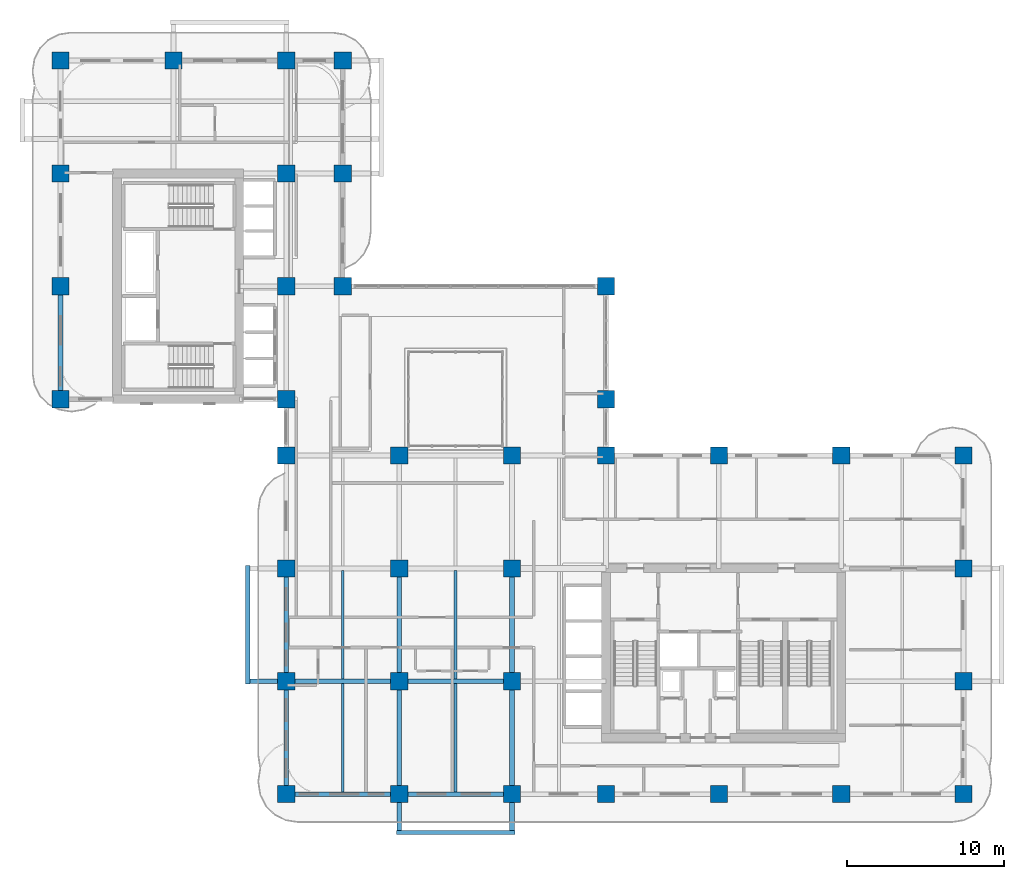
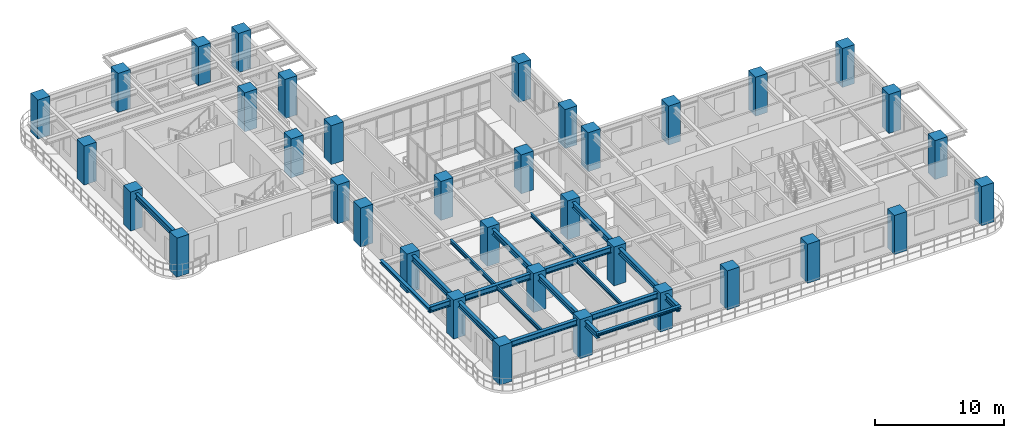
# One storey, part 1 of 22: 36 columns, 17 beams.
"""IFC4 building model written with IfcOpenShell, lengths in metres."""

from ifc_helpers import new_model, si_unit, derived_unit, direction, frame, origin, origin_2d, place, context, subcontext, project, spatial, rectangle, i_section, extrude, source, transform, mapped, material, material_profile, profile_set, type_object, type_shapes, element, save


model = new_model("IFC4")

# Units and contexts
model_context = context("Model", 3, precision=1e-05, world=origin(), true_north=direction((0.0, 1.0)))
body_context = subcontext(model_context, "Body", "Model", "MODEL_VIEW")
ifc_project = project(units=[si_unit("LENGTHUNIT", "METRE"), si_unit("AREAUNIT", "SQUARE_METRE"), si_unit("VOLUMEUNIT", "CUBIC_METRE"), si_unit("PLANEANGLEUNIT", "RADIAN"), si_unit("MASSUNIT", "GRAM", prefix="KILO"), si_unit("THERMODYNAMICTEMPERATUREUNIT", "KELVIN"), si_unit("POWERUNIT", "WATT"), derived_unit("THERMALTRANSMITTANCEUNIT", [(si_unit("POWERUNIT", "WATT"), 1), (si_unit("AREAUNIT", "SQUARE_METRE"), -1), (si_unit("THERMODYNAMICTEMPERATUREUNIT", "KELVIN"), -1)])], contexts=[model_context])

# Site, building, storey
site_placement = place(None, origin())
site = spatial("IfcSite", under=ifc_project, at=site_placement, CompositionType="ELEMENT")
building_placement = place(site_placement, origin())
building = spatial("IfcBuilding", under=site, at=building_placement, Name="Zahravan Archway Hotel and Residences", CompositionType="ELEMENT")
storey_placement = place(building_placement, frame((0.0, 0.0, 80.5)))
storey = spatial("IfcBuildingStorey", under=building, at=storey_placement, Name="L19", CompositionType="ELEMENT", Elevation=80.5)

# Columns
ifc_material_1 = material(Name="Concrete C70/85", Category="concrete")
ifc_material_profile_1 = material_profile(ifc_material_1, rectangle(XDim=1.10009765625, YDim=1.10009765625, at=origin_2d()), Name="RC 1100x1100", Category="concrete")
ifc_profile_set_1 = profile_set([ifc_material_profile_1], Name="Concrete C70/85")
column_type = type_object("IfcColumnType", Name="COL-RC-1100", PredefinedType="COLUMN", material=ifc_profile_set_1)
shared_shape_1 = source(origin(), body_context, "Body", "SweptSolid", [
    extrude(rectangle(XDim=1.10009765625, YDim=1.10009765625, at=origin_2d()), origin(), (0.0, 0.0, 1.0), 3.699951171875),
])
for number, where, z_axis, x_axis, name in (
    (1, (0.0, 25.199951171875, 0.0), (0.0, 0.0, 1.0), (1.0, 0.0, 0.0), "L19 Column 1-E"),
    (2, (0.0, 32.39990234375, 0.0), (0.0, 0.0, 1.0), (1.0, 0.0, 0.0), "L19 Column 1-F"),
    (3, (0.0, 39.60009765625, 0.0), (0.0, 0.0, 1.0), (1.0, 0.0, 0.0), "L19 Column 1-G"),
    (4, (0.0, 46.800048828125, 0.0), (0.0, 0.0, 1.0), (1.0, 0.0, 0.0), "L19 Column 1-H"),
    (5, (7.199951171875, 46.800048828125, 0.0), (0.0, 0.0, 1.0), (1.0, 0.0, 0.0), "L19 Column 2-H"),
    (6, (14.39990234375, 0.0, 0.0), (0.0, 0.0, 1.0), (1.0, 0.0, 0.0), "L19 Column 3-A"),
    (7, (14.39990234375, 7.199951171875, 0.0), (0.0, 0.0, 1.0), (1.0, 0.0, 0.0), "L19 Column 3-B"),
    (8, (14.39990234375, 14.39990234375, 0.0), (0.0, 0.0, 1.0), (1.0, 0.0, 0.0), "L19 Column 3-C"),
    (9, (14.39990234375, 21.60009765625, 0.0), (0.0, 0.0, 1.0), (1.0, 0.0, 0.0), "L19 Column 3-D"),
    (10, (14.39990234375, 25.199951171875, 0.0), (0.0, 0.0, 1.0), (1.0, 0.0, 0.0), "L19 Column 3-E"),
    (11, (14.39990234375, 32.39990234375, 0.0), (0.0, 0.0, 1.0), (1.0, 0.0, 0.0), "L19 Column 3-F"),
    (12, (14.39990234375, 39.60009765625, 0.0), (0.0, 0.0, 1.0), (1.0, 0.0, 0.0), "L19 Column 3-G"),
    (13, (14.39990234375, 46.800048828125, 0.0), (0.0, 0.0, 1.0), (1.0, 0.0, 0.0), "L19 Column 3-H"),
    (14, (21.60009765625, 0.0, 0.0), (0.0, 0.0, 1.0), (1.0, 0.0, 0.0), "L19 Column 4-A"),
    (15, (21.60009765625, 7.199951171875, 0.0), (0.0, 0.0, 1.0), (1.0, 0.0, 0.0), "L19 Column 4-B"),
    (16, (21.60009765625, 14.39990234375, 0.0), (0.0, 0.0, 1.0), (1.0, 0.0, 0.0), "L19 Column 4-C"),
    (17, (21.60009765625, 21.60009765625, 0.0), (0.0, 0.0, 1.0), (1.0, 0.0, 0.0), "L19 Column 4-D"),
    (18, (28.800048828125, 0.0, 0.0), (0.0, 0.0, 1.0), (1.0, 0.0, 0.0), "L19 Column 5-A"),
    (19, (28.800048828125, 7.199951171875, 0.0), (0.0, 0.0, 1.0), (1.0, 0.0, 0.0), "L19 Column 5-B"),
    (20, (28.800048828125, 14.39990234375, 0.0), (0.0, 0.0, 1.0), (1.0, 0.0, 0.0), "L19 Column 5-C"),
    (21, (28.800048828125, 21.60009765625, 0.0), (0.0, 0.0, 1.0), (1.0, 0.0, 0.0), "L19 Column 5-D"),
    (22, (34.800048828125, 0.0, 0.0), (0.0, 0.0, 1.0), (1.0, 0.0, 0.0), "L19 Column 6-A"),
    (23, (34.800048828125, 21.60009765625, 0.0), (0.0, 0.0, 1.0), (1.0, 0.0, 0.0), "L19 Column 6-D"),
    (24, (34.800048828125, 25.199951171875, 0.0), (0.0, 0.0, 1.0), (1.0, 0.0, 0.0), "L19 Column 6-E"),
    (25, (34.800048828125, 32.39990234375, 0.0), (0.0, 0.0, 1.0), (1.0, 0.0, 0.0), "L19 Column 6-F"),
    (26, (42.0, 0.0, 0.0), (0.0, 0.0, 1.0), (1.0, 0.0, 0.0), "L19 Column 7-A"),
    (27, (42.0, 21.60009765625, 0.0), (0.0, 0.0, 1.0), (1.0, 0.0, 0.0), "L19 Column 7-D"),
    (28, (49.800048828125, 0.0, 0.0), (0.0, 0.0, 1.0), (1.0, 0.0, 0.0), "L19 Column 8-A"),
    (29, (49.800048828125, 21.60009765625, 0.0), (0.0, 0.0, 1.0), (1.0, 0.0, 0.0), "L19 Column 8-D"),
    (30, (57.60009765625, 0.0, 0.0), (0.0, 0.0, 1.0), (1.0, 0.0, 0.0), "L19 Column 9-A"),
    (31, (57.60009765625, 7.199951171875, 0.0), (0.0, 0.0, 1.0), (1.0, 0.0, 0.0), "L19 Column 9-B"),
    (32, (57.60009765625, 14.39990234375, 0.0), (0.0, 0.0, 1.0), (1.0, 0.0, 0.0), "L19 Column 9-C"),
    (33, (57.60009765625, 21.60009765625, 0.0), (0.0, 0.0, 1.0), (1.0, 0.0, 0.0), "L19 Column 9-D"),
    (34, (18.0, 32.39990234375, 0.0), (0.0, 0.0, 1.0), (1.0, 0.0, 0.0), "L19 Column 3B-F"),
    (35, (18.0, 39.60009765625, 0.0), (0.0, 0.0, 1.0), (1.0, 0.0, 0.0), "L19 Column 3B-G"),
    (36, (18.0, 46.800048828125, 0.0), (0.0, 0.0, 1.0), (1.0, 0.0, 0.0), "L19 Column 3B-H"),
):
    element("IfcColumn", number, at=place(storey_placement, frame(where, z_axis=z_axis, x_axis=x_axis)), inside=storey, type_object=column_type, Name=name, PredefinedType="COLUMN", context=body_context, shape_type="MappedRepresentation", body=[
        mapped(shared_shape_1, transform((0.0, 0.0, 0.0), scale=1.0)),
    ])

# Beams
ifc_material_2 = material(Name="Structural Steel S355JR", Category="steel")
ifc_material_profile_2 = material_profile(ifc_material_2, i_section(OverallWidth=0.280029296875, OverallDepth=0.280029296875, WebThickness=0.010498046875, FlangeThickness=0.01806640625, FilletRadius=0.02392578125, at=origin_2d()), Name="HEB 280", Category="steel")
ifc_profile_set_2 = profile_set([ifc_material_profile_2], Name="Structural Steel S355JR")
beam_type_1 = type_object("IfcBeamType", Name="BM-SPN-HEB280", PredefinedType="SPANDREL", material=ifc_profile_set_2)
shared_shape_2 = source(origin(), body_context, "Body", "SweptSolid", [
    extrude(i_section(OverallWidth=0.280029296875, OverallDepth=0.280029296875, WebThickness=0.010498046875, FlangeThickness=0.01806640625, FilletRadius=0.02392578125, at=origin_2d()), origin(), (0.0, 0.0, 1.0), 7.56005859375),
])
type_shapes(beam_type_1, [shared_shape_2])
for number, where, z_axis, x_axis, name in (
    (37, (11.949951171875, 7.02001953125, 3.31005859375), (0.0, 1.0, 0.0), (-1.0, 0.0, 0.0), "L20 WA Balcony Edge Spandrel"),
    (38, (21.419921875, -2.449951171875, 3.31005859375), (1.0, 0.0, 0.0), (0.0, 1.0, 0.0), "L20 SA Balcony Edge Spandrel"),
):
    element("IfcBeam", number, at=place(storey_placement, frame(where, z_axis=z_axis, x_axis=x_axis)), inside=storey, type_object=beam_type_1, Name=name, PredefinedType="SPANDREL", context=body_context, shape_type="MappedRepresentation", body=[
        mapped(shared_shape_2, transform((0.0, 0.0, 0.0), scale=1.0)),
    ])
ifc_material_profile_3 = material_profile(ifc_material_2, i_section(OverallWidth=0.300048828125, OverallDepth=0.550048828125, WebThickness=0.014892578125, FlangeThickness=0.029052734375, FilletRadius=0.027099609375, at=origin_2d()), Name="HEB 550", Category="steel")
ifc_profile_set_3 = profile_set([ifc_material_profile_3], Name="Structural Steel S355JR")
beam_type_2 = type_object("IfcBeamType", Name="BM-PRI-HEB550", PredefinedType="BEAM", material=ifc_profile_set_3)
shared_shape_3 = source(origin(), body_context, "Body", "SweptSolid", [
    extrude(i_section(OverallWidth=0.300048828125, OverallDepth=0.550048828125, WebThickness=0.014892578125, FlangeThickness=0.029052734375, FilletRadius=0.027099609375, at=origin_2d()), origin(), (0.0, 0.0, 1.0), 7.2001953125),
])
type_shapes(beam_type_2, [shared_shape_3])
beam_1_placement = place(storey_placement, frame((14.39990234375, 0.0, 3.175048828125), z_axis=(1.0, 0.0, 0.0), x_axis=(0.0, 1.0, 0.0)))
element("IfcBeam", 39, at=beam_1_placement, inside=storey, type_object=beam_type_2, Name="L19 Primary Girder EW-01", PredefinedType="BEAM", context=body_context, shape_type="MappedRepresentation", body=[
    mapped(shared_shape_3, transform((0.0, 0.0, 0.0), scale=1.0)),
])
shared_shape_4 = source(origin(), body_context, "Body", "SweptSolid", [
    extrude(i_section(OverallWidth=0.300048828125, OverallDepth=0.550048828125, WebThickness=0.014892578125, FlangeThickness=0.029052734375, FilletRadius=0.027099609375, at=origin_2d()), origin(), (0.0, 0.0, 1.0), 7.199951171875),
])
for number, where, z_axis, x_axis, name in (
    (40, (21.60009765625, 0.0, 3.175048828125), (1.0, 0.0, 0.0), (0.0, 1.0, 0.0), "L19 Primary Girder EW-02"),
    (41, (21.60009765625, 7.199951171875, 3.175048828125), (1.0, 0.0, 0.0), (0.0, 1.0, 0.0), "L19 Primary Girder EW-08"),
    (42, (0.0, 25.199951171875, 3.175048828125), (0.0, 1.0, 0.0), (-1.0, 0.0, 0.0), "L19 Primary Girder NS-28"),
    (43, (14.39990234375, 0.0, 3.175048828125), (0.0, 1.0, 0.0), (-1.0, 0.0, 0.0), "L19 Primary Girder NS-32"),
    (44, (14.39990234375, 7.199951171875, 3.175048828125), (0.0, 1.0, 0.0), (-1.0, 0.0, 0.0), "L19 Primary Girder NS-33"),
    (45, (21.60009765625, 7.199951171875, 3.175048828125), (0.0, 1.0, 0.0), (-1.0, 0.0, 0.0), "L19 Primary Girder NS-40"),
    (46, (28.800048828125, 7.199951171875, 3.175048828125), (0.0, 1.0, 0.0), (-1.0, 0.0, 0.0), "L19 Primary Girder NS-43"),
):
    element("IfcBeam", number, at=place(storey_placement, frame(where, z_axis=z_axis, x_axis=x_axis)), inside=storey, type_object=beam_type_2, Name=name, PredefinedType="BEAM", context=body_context, shape_type="MappedRepresentation", body=[
        mapped(shared_shape_4, transform((0.0, 0.0, 0.0), scale=1.0)),
    ])
shared_shape_5 = source(origin(), body_context, "Body", "SweptSolid", [
    extrude(i_section(OverallWidth=0.300048828125, OverallDepth=0.550048828125, WebThickness=0.014892578125, FlangeThickness=0.029052734375, FilletRadius=0.027099609375, at=origin_2d()), origin(), (0.0, 0.0, 1.0), 9.650146484375),
])
beam_2_placement = place(storey_placement, frame((11.949951171875, 7.199951171875, 3.175048828125), z_axis=(1.0, 0.0, 0.0), x_axis=(0.0, 1.0, 0.0)))
element("IfcBeam", 47, at=beam_2_placement, inside=storey, type_object=beam_type_2, Name="L19 Primary Girder EW-07", PredefinedType="BEAM", context=body_context, shape_type="MappedRepresentation", body=[
    mapped(shared_shape_5, transform((0.0, 0.0, 0.0), scale=1.0)),
])
shared_shape_6 = source(origin(), body_context, "Body", "SweptSolid", [
    extrude(i_section(OverallWidth=0.300048828125, OverallDepth=0.550048828125, WebThickness=0.014892578125, FlangeThickness=0.029052734375, FilletRadius=0.027099609375, at=origin_2d()), origin(), (0.0, 0.0, 1.0), 9.64990234375),
])
for number, where, z_axis, x_axis, name in (
    (48, (21.60009765625, -2.449951171875, 3.175048828125), (0.0, 1.0, 0.0), (-1.0, 0.0, 0.0), "L19 Primary Girder NS-39"),
    (49, (28.800048828125, -2.449951171875, 3.175048828125), (0.0, 1.0, 0.0), (-1.0, 0.0, 0.0), "L19 Primary Girder NS-42"),
):
    element("IfcBeam", number, at=place(storey_placement, frame(where, z_axis=z_axis, x_axis=x_axis)), inside=storey, type_object=beam_type_2, Name=name, PredefinedType="BEAM", context=body_context, shape_type="MappedRepresentation", body=[
        mapped(shared_shape_6, transform((0.0, 0.0, 0.0), scale=1.0)),
    ])
ifc_material_profile_4 = material_profile(ifc_material_2, i_section(OverallWidth=0.169921875, OverallDepth=0.360107421875, WebThickness=0.008056640625, FlangeThickness=0.0126953125, FilletRadius=0.01806640625, at=origin_2d()), Name="IPE 360", Category="steel")
ifc_profile_set_4 = profile_set([ifc_material_profile_4], Name="Structural Steel S355JR")
beam_type_3 = type_object("IfcBeamType", Name="BM-JST-IPE360", PredefinedType="JOIST", material=ifc_profile_set_4)
shared_shape_7 = source(origin(), body_context, "Body", "SweptSolid", [
    extrude(i_section(OverallWidth=0.169921875, OverallDepth=0.360107421875, WebThickness=0.008056640625, FlangeThickness=0.0126953125, FilletRadius=0.01806640625, at=origin_2d()), origin(), (0.0, 0.0, 1.0), 6.904052734375),
])
type_shapes(beam_type_3, [shared_shape_7])
for number, where, z_axis, x_axis, name in (
    (50, (18.0, 0.14794921875, 3.27001953125), (0.0, 1.0, 0.0), (-1.0, 0.0, 0.0), "L19 Composite Floor Joist 01"),
    (51, (25.199951171875, 0.14794921875, 3.27001953125), (0.0, 1.0, 0.0), (-1.0, 0.0, 0.0), "L19 Composite Floor Joist 02"),
    (52, (18.0, 7.347900390625, 3.27001953125), (0.0, 1.0, 0.0), (-1.0, 0.0, 0.0), "L19 Composite Floor Joist 05"),
    (53, (25.199951171875, 7.347900390625, 3.27001953125), (0.0, 1.0, 0.0), (-1.0, 0.0, 0.0), "L19 Composite Floor Joist 06"),
):
    element("IfcBeam", number, at=place(storey_placement, frame(where, z_axis=z_axis, x_axis=x_axis)), inside=storey, type_object=beam_type_3, Name=name, PredefinedType="JOIST", context=body_context, shape_type="MappedRepresentation", body=[
        mapped(shared_shape_7, transform((0.0, 0.0, 0.0), scale=1.0)),
    ])

save(model, "model.ifc")
